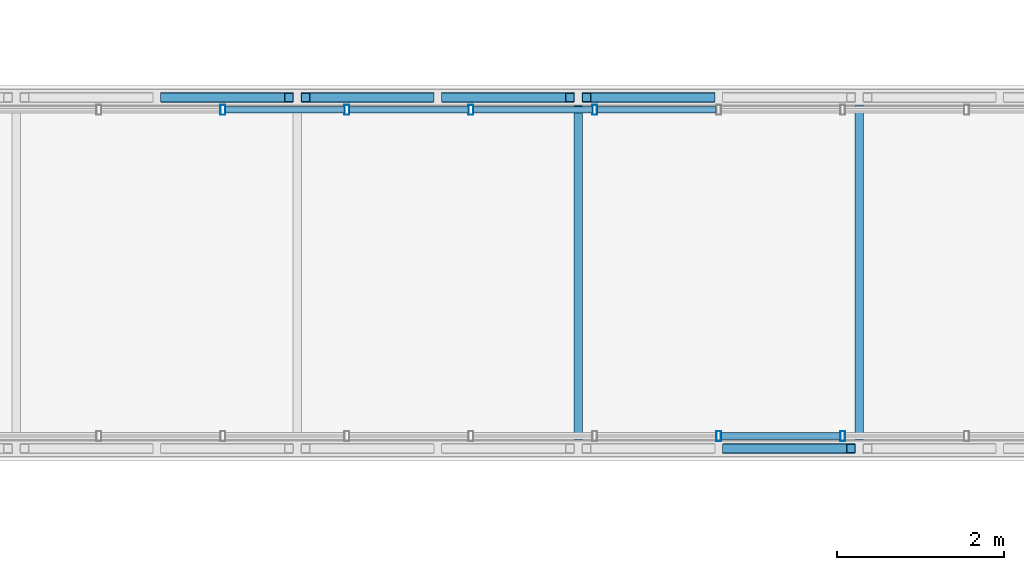
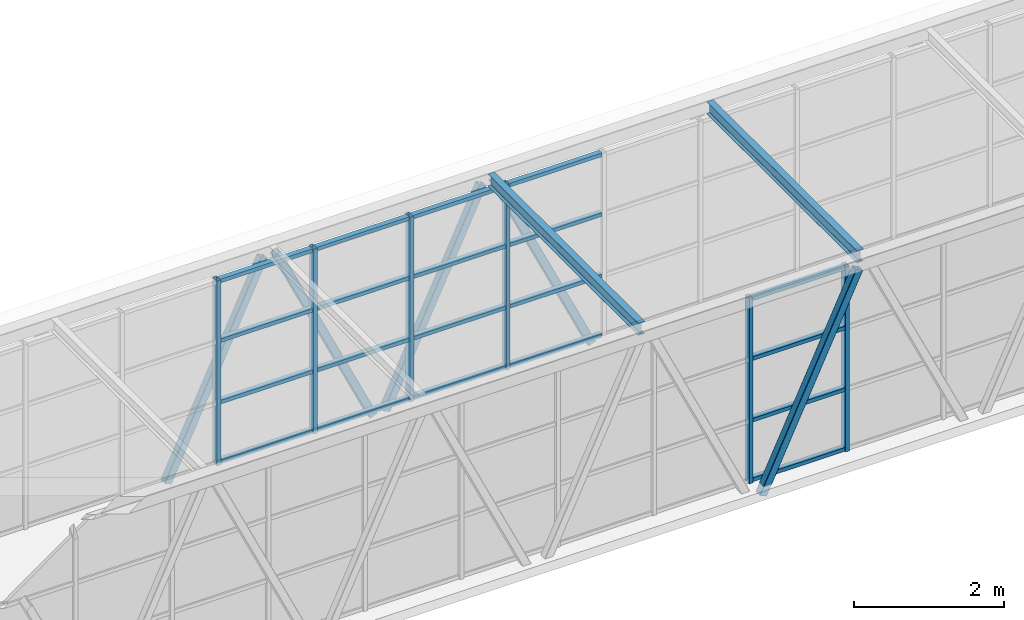
# One storey, part 34 of 149: 31 members, 2 beams, 2 elements without a shape of their own.
"""IFC4 building model written with IfcOpenShell, lengths in metres."""

from ifc_helpers import new_model, si_unit, direction, frame, origin, origin_2d, place, context, subcontext, project, spatial, hollow_rectangle, i_section, extrude, material, material_profile, profile_set, type_object, element, aggregate, save


model = new_model("IFC4")

# Units and contexts
model_context = context("Model", 3, precision=1e-05, world=origin(), true_north=direction((0.0, 1.0)))
body_context = subcontext(model_context, "Body", "Model", "MODEL_VIEW")
ifc_project = project(units=[si_unit("LENGTHUNIT", "METRE"), si_unit("AREAUNIT", "SQUARE_METRE"), si_unit("VOLUMEUNIT", "CUBIC_METRE"), si_unit("PLANEANGLEUNIT", "RADIAN"), si_unit("MASSUNIT", "GRAM", prefix="KILO")], contexts=[model_context])

# Site, building, storey
site_placement = place(None, origin())
site = spatial("IfcSite", under=ifc_project, at=site_placement, CompositionType="ELEMENT")
building_placement = place(site_placement, origin())
building = spatial("IfcBuilding", under=site, at=building_placement, Name="Kallimachos Central Library", CompositionType="ELEMENT")
storey_placement = place(building_placement, frame((0.0, 0.0, 9.89990234375)))
storey = spatial("IfcBuildingStorey", under=building, at=storey_placement, Name="L02", CompositionType="ELEMENT", Elevation=9.89990234375)

# Curtain wall, members
ifc_material_1 = material(Name="Aluminium and laminated glass", Category="aluminium")
curtain_wall_type = type_object("IfcCurtainWallType", Name="Link glazed wall", PredefinedType="NOTDEFINED", material=ifc_material_1)
curtain_wall_1_placement = place(storey_placement, origin())
curtain_wall_1 = element("IfcCurtainWall", 1, at=curtain_wall_1_placement, inside=storey, type_object=curtain_wall_type, Name="V2 to V1 bridge glazed side", PredefinedType="NOTDEFINED")
ifc_material_2 = material(Name="Anodised aluminium", Category="aluminium")
ifc_material_profile_1 = material_profile(ifc_material_2, hollow_rectangle(XDim=0.06005859375, YDim=0.1201171875, WallThickness=0.00390625, at=origin_2d()), Name="ALU MULLION 60x120")
ifc_profile_set_1 = profile_set([ifc_material_profile_1], Name="Anodised aluminium")
member_type_1 = type_object("IfcMemberType", Name="ALU MULLION 60x120 mullion", PredefinedType="MULLION", material=ifc_profile_set_1)
member_1_placement = place(storey_placement, frame((51.737548828125, 98.550048828125, 0.0), z_axis=(0.0, 0.0, 1.0), x_axis=(1.0, 0.0, 0.0)))
member_1 = element("IfcMember", 2, at=member_1_placement, type_object=member_type_1, Name="CW72 mullion 10", PredefinedType="MULLION", context=body_context, shape_type="SweptSolid", body=[
    extrude(hollow_rectangle(XDim=0.06005859375, YDim=0.1201171875, WallThickness=0.00390625, at=origin_2d()), origin(), (0.0, 0.0, 1.0), 3.0),
])
member_2_placement = place(storey_placement, frame((53.219482421875, 98.550048828125, 0.0), z_axis=(0.0, 0.0, 1.0), x_axis=(1.0, 0.0, 0.0)))
member_2 = element("IfcMember", 3, at=member_2_placement, type_object=member_type_1, Name="CW72 mullion 11", PredefinedType="MULLION", context=body_context, shape_type="SweptSolid", body=[
    extrude(hollow_rectangle(XDim=0.06005859375, YDim=0.1201171875, WallThickness=0.00390625, at=origin_2d()), origin(), (0.0, 0.0, 1.0), 3.0),
])

curtain_wall_2_placement = place(storey_placement, origin())
curtain_wall_2 = element("IfcCurtainWall", 4, at=curtain_wall_2_placement, inside=storey, type_object=curtain_wall_type, Name="V2 to V1 bridge glazed side", PredefinedType="NOTDEFINED")
member_3_placement = place(storey_placement, frame((45.809814453125, 102.449951171875, 0.0), z_axis=(0.0, 0.0, 1.0), x_axis=(1.0, 0.0, 0.0)))
member_3 = element("IfcMember", 5, at=member_3_placement, type_object=member_type_1, Name="CW73 mullion 6", PredefinedType="MULLION", context=body_context, shape_type="SweptSolid", body=[
    extrude(hollow_rectangle(XDim=0.06005859375, YDim=0.1201171875, WallThickness=0.00390625, at=origin_2d()), origin(), (0.0, 0.0, 1.0), 3.0),
])
member_4_placement = place(storey_placement, frame((47.291748046875, 102.449951171875, 0.0), z_axis=(0.0, 0.0, 1.0), x_axis=(1.0, 0.0, 0.0)))
member_4 = element("IfcMember", 6, at=member_4_placement, type_object=member_type_1, Name="CW73 mullion 7", PredefinedType="MULLION", context=body_context, shape_type="SweptSolid", body=[
    extrude(hollow_rectangle(XDim=0.06005859375, YDim=0.1201171875, WallThickness=0.00390625, at=origin_2d()), origin(), (0.0, 0.0, 1.0), 3.0),
])
member_5_placement = place(storey_placement, frame((48.773681640625, 102.449951171875, 0.0), z_axis=(0.0, 0.0, 1.0), x_axis=(1.0, 0.0, 0.0)))
member_5 = element("IfcMember", 7, at=member_5_placement, type_object=member_type_1, Name="CW73 mullion 8", PredefinedType="MULLION", context=body_context, shape_type="SweptSolid", body=[
    extrude(hollow_rectangle(XDim=0.06005859375, YDim=0.1201171875, WallThickness=0.00390625, at=origin_2d()), origin(), (0.0, 0.0, 1.0), 3.0),
])
member_6_placement = place(storey_placement, frame((50.255615234375, 102.449951171875, 0.0), z_axis=(0.0, 0.0, 1.0), x_axis=(1.0, 0.0, 0.0)))
member_6 = element("IfcMember", 8, at=member_6_placement, type_object=member_type_1, Name="CW73 mullion 9", PredefinedType="MULLION", context=body_context, shape_type="SweptSolid", body=[
    extrude(hollow_rectangle(XDim=0.06005859375, YDim=0.1201171875, WallThickness=0.00390625, at=origin_2d()), origin(), (0.0, 0.0, 1.0), 3.0),
])

# Member
ifc_material_3 = material(Name="Anodised aluminium", Category="aluminium")
ifc_material_profile_2 = material_profile(ifc_material_3, hollow_rectangle(XDim=0.06005859375, YDim=0.080078125, WallThickness=0.00390625, at=origin_2d()), Name="ALU TRANSOM 60x80")
ifc_profile_set_2 = profile_set([ifc_material_profile_2], Name="Anodised aluminium")
member_type_2 = type_object("IfcMemberType", Name="ALU TRANSOM 60x80 transom", PredefinedType="USERDEFINED", material=ifc_profile_set_2)
member_7_placement = place(storey_placement, frame((51.767578125, 98.550048828125, 0.030029296875), z_axis=(1.0, 0.0, 0.0), x_axis=(0.0, 0.0, 1.0)))
member_7 = element("IfcMember", 9, at=member_7_placement, type_object=member_type_2, Name="CW72 transom 10.1", ObjectType="TRANSOM", PredefinedType="USERDEFINED", context=body_context, shape_type="SweptSolid", body=[
    extrude(hollow_rectangle(XDim=0.06005859375, YDim=0.080078125, WallThickness=0.00390625, at=origin_2d()), origin(), (0.0, 0.0, 1.0), 1.421875),
])

member_8_placement = place(storey_placement, frame((51.767578125, 98.550048828125, 1.0), z_axis=(1.0, 0.0, 0.0), x_axis=(0.0, 0.0, 1.0)))
member_8 = element("IfcMember", 10, at=member_8_placement, type_object=member_type_2, Name="CW72 transom 10.2", ObjectType="TRANSOM", PredefinedType="USERDEFINED", context=body_context, shape_type="SweptSolid", body=[
    extrude(hollow_rectangle(XDim=0.06005859375, YDim=0.080078125, WallThickness=0.00390625, at=origin_2d()), origin(), (0.0, 0.0, 1.0), 1.421875),
])

member_9_placement = place(storey_placement, frame((51.767578125, 98.550048828125, 2.0), z_axis=(1.0, 0.0, 0.0), x_axis=(0.0, 0.0, 1.0)))
member_9 = element("IfcMember", 11, at=member_9_placement, type_object=member_type_2, Name="CW72 transom 10.3", ObjectType="TRANSOM", PredefinedType="USERDEFINED", context=body_context, shape_type="SweptSolid", body=[
    extrude(hollow_rectangle(XDim=0.06005859375, YDim=0.080078125, WallThickness=0.00390625, at=origin_2d()), origin(), (0.0, 0.0, 1.0), 1.421875),
])

member_10_placement = place(storey_placement, frame((51.767578125, 98.550048828125, 2.97021484375), z_axis=(1.0, 0.0, 0.0), x_axis=(0.0, 0.0, 1.0)))
member_10 = element("IfcMember", 12, at=member_10_placement, type_object=member_type_2, Name="CW72 transom 10.4", ObjectType="TRANSOM", PredefinedType="USERDEFINED", context=body_context, shape_type="SweptSolid", body=[
    extrude(hollow_rectangle(XDim=0.06005859375, YDim=0.080078125, WallThickness=0.00390625, at=origin_2d()), origin(), (0.0, 0.0, 1.0), 1.421875),
])

aggregate(curtain_wall_1, [member_1, member_2, member_7, member_8, member_9, member_10])

member_11_placement = place(storey_placement, frame((45.83984375, 102.449951171875, 0.030029296875), z_axis=(1.0, 0.0, 0.0), x_axis=(0.0, 0.0, 1.0)))
member_11 = element("IfcMember", 13, at=member_11_placement, type_object=member_type_2, Name="CW73 transom 6.1", ObjectType="TRANSOM", PredefinedType="USERDEFINED", context=body_context, shape_type="SweptSolid", body=[
    extrude(hollow_rectangle(XDim=0.06005859375, YDim=0.080078125, WallThickness=0.00390625, at=origin_2d()), origin(), (0.0, 0.0, 1.0), 1.421875),
])

member_12_placement = place(storey_placement, frame((45.83984375, 102.449951171875, 1.0), z_axis=(1.0, 0.0, 0.0), x_axis=(0.0, 0.0, 1.0)))
member_12 = element("IfcMember", 14, at=member_12_placement, type_object=member_type_2, Name="CW73 transom 6.2", ObjectType="TRANSOM", PredefinedType="USERDEFINED", context=body_context, shape_type="SweptSolid", body=[
    extrude(hollow_rectangle(XDim=0.06005859375, YDim=0.080078125, WallThickness=0.00390625, at=origin_2d()), origin(), (0.0, 0.0, 1.0), 1.421875),
])

member_13_placement = place(storey_placement, frame((45.83984375, 102.449951171875, 2.0), z_axis=(1.0, 0.0, 0.0), x_axis=(0.0, 0.0, 1.0)))
member_13 = element("IfcMember", 15, at=member_13_placement, type_object=member_type_2, Name="CW73 transom 6.3", ObjectType="TRANSOM", PredefinedType="USERDEFINED", context=body_context, shape_type="SweptSolid", body=[
    extrude(hollow_rectangle(XDim=0.06005859375, YDim=0.080078125, WallThickness=0.00390625, at=origin_2d()), origin(), (0.0, 0.0, 1.0), 1.421875),
])

member_14_placement = place(storey_placement, frame((45.83984375, 102.449951171875, 2.97021484375), z_axis=(1.0, 0.0, 0.0), x_axis=(0.0, 0.0, 1.0)))
member_14 = element("IfcMember", 16, at=member_14_placement, type_object=member_type_2, Name="CW73 transom 6.4", ObjectType="TRANSOM", PredefinedType="USERDEFINED", context=body_context, shape_type="SweptSolid", body=[
    extrude(hollow_rectangle(XDim=0.06005859375, YDim=0.080078125, WallThickness=0.00390625, at=origin_2d()), origin(), (0.0, 0.0, 1.0), 1.421875),
])

member_15_placement = place(storey_placement, frame((47.32177734375, 102.449951171875, 0.030029296875), z_axis=(1.0, 0.0, 0.0), x_axis=(0.0, 0.0, 1.0)))
member_15 = element("IfcMember", 17, at=member_15_placement, type_object=member_type_2, Name="CW73 transom 7.1", ObjectType="TRANSOM", PredefinedType="USERDEFINED", context=body_context, shape_type="SweptSolid", body=[
    extrude(hollow_rectangle(XDim=0.06005859375, YDim=0.080078125, WallThickness=0.00390625, at=origin_2d()), origin(), (0.0, 0.0, 1.0), 1.421875),
])

member_16_placement = place(storey_placement, frame((47.32177734375, 102.449951171875, 1.0), z_axis=(1.0, 0.0, 0.0), x_axis=(0.0, 0.0, 1.0)))
member_16 = element("IfcMember", 18, at=member_16_placement, type_object=member_type_2, Name="CW73 transom 7.2", ObjectType="TRANSOM", PredefinedType="USERDEFINED", context=body_context, shape_type="SweptSolid", body=[
    extrude(hollow_rectangle(XDim=0.06005859375, YDim=0.080078125, WallThickness=0.00390625, at=origin_2d()), origin(), (0.0, 0.0, 1.0), 1.421875),
])

member_17_placement = place(storey_placement, frame((47.32177734375, 102.449951171875, 2.0), z_axis=(1.0, 0.0, 0.0), x_axis=(0.0, 0.0, 1.0)))
member_17 = element("IfcMember", 19, at=member_17_placement, type_object=member_type_2, Name="CW73 transom 7.3", ObjectType="TRANSOM", PredefinedType="USERDEFINED", context=body_context, shape_type="SweptSolid", body=[
    extrude(hollow_rectangle(XDim=0.06005859375, YDim=0.080078125, WallThickness=0.00390625, at=origin_2d()), origin(), (0.0, 0.0, 1.0), 1.421875),
])

member_18_placement = place(storey_placement, frame((47.32177734375, 102.449951171875, 2.97021484375), z_axis=(1.0, 0.0, 0.0), x_axis=(0.0, 0.0, 1.0)))
member_18 = element("IfcMember", 20, at=member_18_placement, type_object=member_type_2, Name="CW73 transom 7.4", ObjectType="TRANSOM", PredefinedType="USERDEFINED", context=body_context, shape_type="SweptSolid", body=[
    extrude(hollow_rectangle(XDim=0.06005859375, YDim=0.080078125, WallThickness=0.00390625, at=origin_2d()), origin(), (0.0, 0.0, 1.0), 1.421875),
])

member_19_placement = place(storey_placement, frame((48.8037109375, 102.449951171875, 0.030029296875), z_axis=(1.0, 0.0, 0.0), x_axis=(0.0, 0.0, 1.0)))
member_19 = element("IfcMember", 21, at=member_19_placement, type_object=member_type_2, Name="CW73 transom 8.1", ObjectType="TRANSOM", PredefinedType="USERDEFINED", context=body_context, shape_type="SweptSolid", body=[
    extrude(hollow_rectangle(XDim=0.06005859375, YDim=0.080078125, WallThickness=0.00390625, at=origin_2d()), origin(), (0.0, 0.0, 1.0), 1.421875),
])

member_20_placement = place(storey_placement, frame((48.8037109375, 102.449951171875, 1.0), z_axis=(1.0, 0.0, 0.0), x_axis=(0.0, 0.0, 1.0)))
member_20 = element("IfcMember", 22, at=member_20_placement, type_object=member_type_2, Name="CW73 transom 8.2", ObjectType="TRANSOM", PredefinedType="USERDEFINED", context=body_context, shape_type="SweptSolid", body=[
    extrude(hollow_rectangle(XDim=0.06005859375, YDim=0.080078125, WallThickness=0.00390625, at=origin_2d()), origin(), (0.0, 0.0, 1.0), 1.421875),
])

member_21_placement = place(storey_placement, frame((48.8037109375, 102.449951171875, 2.0), z_axis=(1.0, 0.0, 0.0), x_axis=(0.0, 0.0, 1.0)))
member_21 = element("IfcMember", 23, at=member_21_placement, type_object=member_type_2, Name="CW73 transom 8.3", ObjectType="TRANSOM", PredefinedType="USERDEFINED", context=body_context, shape_type="SweptSolid", body=[
    extrude(hollow_rectangle(XDim=0.06005859375, YDim=0.080078125, WallThickness=0.00390625, at=origin_2d()), origin(), (0.0, 0.0, 1.0), 1.421875),
])

member_22_placement = place(storey_placement, frame((48.8037109375, 102.449951171875, 2.97021484375), z_axis=(1.0, 0.0, 0.0), x_axis=(0.0, 0.0, 1.0)))
member_22 = element("IfcMember", 24, at=member_22_placement, type_object=member_type_2, Name="CW73 transom 8.4", ObjectType="TRANSOM", PredefinedType="USERDEFINED", context=body_context, shape_type="SweptSolid", body=[
    extrude(hollow_rectangle(XDim=0.06005859375, YDim=0.080078125, WallThickness=0.00390625, at=origin_2d()), origin(), (0.0, 0.0, 1.0), 1.421875),
])

member_23_placement = place(storey_placement, frame((50.28564453125, 102.449951171875, 0.030029296875), z_axis=(1.0, 0.0, 0.0), x_axis=(0.0, 0.0, 1.0)))
member_23 = element("IfcMember", 25, at=member_23_placement, type_object=member_type_2, Name="CW73 transom 9.1", ObjectType="TRANSOM", PredefinedType="USERDEFINED", context=body_context, shape_type="SweptSolid", body=[
    extrude(hollow_rectangle(XDim=0.06005859375, YDim=0.080078125, WallThickness=0.00390625, at=origin_2d()), origin(), (0.0, 0.0, 1.0), 1.421875),
])

member_24_placement = place(storey_placement, frame((50.28564453125, 102.449951171875, 1.0), z_axis=(1.0, 0.0, 0.0), x_axis=(0.0, 0.0, 1.0)))
member_24 = element("IfcMember", 26, at=member_24_placement, type_object=member_type_2, Name="CW73 transom 9.2", ObjectType="TRANSOM", PredefinedType="USERDEFINED", context=body_context, shape_type="SweptSolid", body=[
    extrude(hollow_rectangle(XDim=0.06005859375, YDim=0.080078125, WallThickness=0.00390625, at=origin_2d()), origin(), (0.0, 0.0, 1.0), 1.421875),
])

member_25_placement = place(storey_placement, frame((50.28564453125, 102.449951171875, 2.0), z_axis=(1.0, 0.0, 0.0), x_axis=(0.0, 0.0, 1.0)))
member_25 = element("IfcMember", 27, at=member_25_placement, type_object=member_type_2, Name="CW73 transom 9.3", ObjectType="TRANSOM", PredefinedType="USERDEFINED", context=body_context, shape_type="SweptSolid", body=[
    extrude(hollow_rectangle(XDim=0.06005859375, YDim=0.080078125, WallThickness=0.00390625, at=origin_2d()), origin(), (0.0, 0.0, 1.0), 1.421875),
])

member_26_placement = place(storey_placement, frame((50.28564453125, 102.449951171875, 2.97021484375), z_axis=(1.0, 0.0, 0.0), x_axis=(0.0, 0.0, 1.0)))
member_26 = element("IfcMember", 28, at=member_26_placement, type_object=member_type_2, Name="CW73 transom 9.4", ObjectType="TRANSOM", PredefinedType="USERDEFINED", context=body_context, shape_type="SweptSolid", body=[
    extrude(hollow_rectangle(XDim=0.06005859375, YDim=0.080078125, WallThickness=0.00390625, at=origin_2d()), origin(), (0.0, 0.0, 1.0), 1.421875),
])

aggregate(curtain_wall_2, [member_3, member_4, member_5, member_6, member_11, member_12, member_13, member_14, member_15, member_16, member_17, member_18, member_19, member_20, member_21, member_22, member_23, member_24, member_25, member_26])

# Beams
ifc_material_4 = material(Name="Steel S355J2", Category="steel")
ifc_material_profile_3 = material_profile(ifc_material_4, i_section(OverallWidth=0.10009765625, OverallDepth=0.199951171875, WebThickness=0.005615234375, FlangeThickness=0.008544921875, FilletRadius=0.011962890625, at=origin_2d()), Name="IPE 200")
ifc_profile_set_3 = profile_set([ifc_material_profile_3], Name="Steel S355J2")
beam_type = type_object("IfcBeamType", Name="IPE 200 beam", PredefinedType="BEAM", material=ifc_profile_set_3)
for number, where, z_axis, x_axis, name in (
    (29, (50.057861328125, 98.5, 3.10009765625), (0.0, 1.0, 0.0), (-1.0, 0.0, 0.0), "B-W roof cross beam"),
    (30, (53.417236328125, 98.5, 3.10009765625), (0.0, 1.0, 0.0), (-1.0, 0.0, 0.0), "B-W roof cross beam"),
):
    element("IfcBeam", number, at=place(storey_placement, frame(where, z_axis=z_axis, x_axis=x_axis)), inside=storey, type_object=beam_type, Name=name, PredefinedType="BEAM", context=body_context, shape_type="SweptSolid", body=[
        extrude(i_section(OverallWidth=0.10009765625, OverallDepth=0.199951171875, WebThickness=0.005615234375, FlangeThickness=0.008544921875, FilletRadius=0.011962890625, at=origin_2d()), origin(), (0.0, 0.0, 1.0), 4.0),
    ])

# Members
ifc_material_5 = material(Name="Steel S355J2H", Category="steel")
ifc_material_profile_4 = material_profile(ifc_material_5, hollow_rectangle(XDim=0.1201171875, YDim=0.1201171875, WallThickness=0.008056640625, InnerFilletRadius=0.008056640625, OuterFilletRadius=0.011962890625, at=origin_2d()), Name="SHS 120x120x8")
ifc_profile_set_4 = profile_set([ifc_material_profile_4], Name="Steel S355J2H")
member_type_3 = type_object("IfcMemberType", Name="SHS 120x120x8 web", PredefinedType="BRACE", material=ifc_profile_set_4)
for number, where, z_axis, x_axis, name in (
    (31, (51.83740234375, 98.39990234375, -0.14990234375), (0.425192201844, 0.0, 0.905103083351), (0.0, 1.0, 0.0), "links-MEM-L02-010"),
    (32, (45.11865234375, 102.60009765625, -0.14990234375), (0.425192201844, 0.0, 0.905103083351), (0.0, 1.0, 0.0), "links-MEM-L02-023"),
    (33, (46.79833984375, 102.60009765625, 3.0), (0.425192201844, 0.0, -0.905103083351), (0.0, 1.0, 0.0), "links-MEM-L02-024"),
    (34, (48.47802734375, 102.60009765625, -0.14990234375), (0.425192201844, 0.0, 0.905103083351), (0.0, 1.0, 0.0), "links-MEM-L02-025"),
    (35, (50.15771484375, 102.60009765625, 3.0), (0.425192201844, 0.0, -0.905103083351), (0.0, 1.0, 0.0), "links-MEM-L02-026"),
):
    element("IfcMember", number, at=place(storey_placement, frame(where, z_axis=z_axis, x_axis=x_axis)), inside=storey, type_object=member_type_3, Name=name, PredefinedType="BRACE", context=body_context, shape_type="SweptSolid", body=[
        extrude(hollow_rectangle(XDim=0.1201171875, YDim=0.1201171875, WallThickness=0.008056640625, InnerFilletRadius=0.008056640625, OuterFilletRadius=0.011962890625, at=origin_2d()), origin(), (0.0, 0.0, 1.0), 3.480224609375),
    ])

save(model, "model.ifc")
